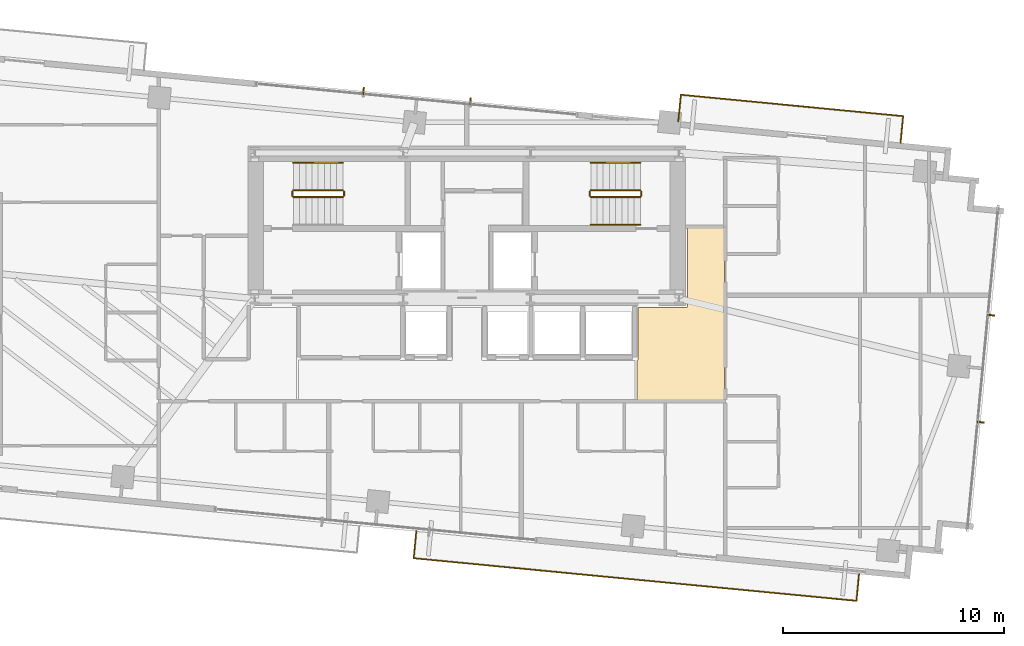
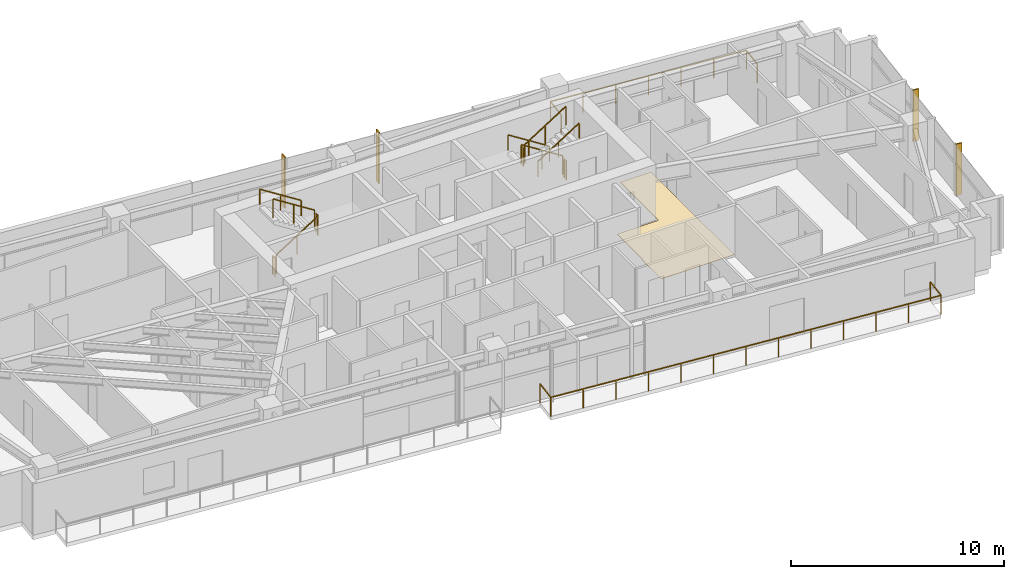
# One storey, part 19 of 19: 13 railings, 4 shading devices, 1 covering.
"""IFC4 building model written with IfcOpenShell, lengths in metres."""

from ifc_helpers import new_model, si_unit, direction, frame, origin, origin_2d, place, context, subcontext, project, spatial, polyline, rectangle, outline, extrude, source, transform, mapped, material, layer, layer_set, type_object, type_shapes, element, save


model = new_model("IFC4")

# Units and contexts
model_context = context("Model", 3, precision=1e-05, world=origin(), true_north=direction((0.0, 1.0)))
body_context = subcontext(model_context, "Body", "Model", "MODEL_VIEW")
ifc_project = project(units=[si_unit("LENGTHUNIT", "METRE"), si_unit("AREAUNIT", "SQUARE_METRE"), si_unit("VOLUMEUNIT", "CUBIC_METRE"), si_unit("PLANEANGLEUNIT", "RADIAN"), si_unit("MASSUNIT", "GRAM", prefix="KILO")], contexts=[model_context])

# Site, building, storey
site_placement = place(None, origin())
site = spatial("IfcSite", under=ifc_project, at=site_placement, CompositionType="ELEMENT")
building_placement = place(site_placement, origin())
building = spatial("IfcBuilding", under=site, at=building_placement, Name="Astriad Promenade Condominiums", CompositionType="ELEMENT")
storey_placement = place(building_placement, frame((0.0, 0.0, 143.800048828125)))
storey = spatial("IfcBuildingStorey", under=building, at=storey_placement, Name="L41", CompositionType="ELEMENT", Elevation=143.800048828125)

# Covering
ifc_material_1 = material(Name="Polished Lakefront Terrazzo Flooring")
ifc_layer = layer(ifc_material_1, 0.02001953125)
ifc_layer_set = layer_set([ifc_layer], Name="Polished Lakefront Terrazzo Flooring")
covering_type = type_object("IfcCoveringType", Name="COV-FLOR-TERRAZZO-20", PredefinedType="FLOORING", material=ifc_layer_set)
covering_placement = place(storey_placement, origin())
element("IfcCovering", 1, at=covering_placement, inside=storey, type_object=covering_type, Name="FLR-L41-COR-1", PredefinedType="FLOORING", context=body_context, shape_type="SweptSolid", body=[
    extrude(outline(polyline([(43.699951171875, 12.7900390625), (43.699951171875, 14.610107421875), (43.703857421875, 14.610107421875), (43.707763671875, 14.61083984375), (43.711669921875, 14.61181640625), (43.71533203125, 14.613037109375), (43.718994140625, 14.61474609375), (43.72216796875, 14.61669921875), (43.725341796875, 14.619140625), (43.728271484375, 14.62158203125), (43.73095703125, 14.62451171875), (43.7333984375, 14.627685546875), (43.7353515625, 14.631103515625), (43.737060546875, 14.634765625), (43.73828125, 14.638427734375), (43.7392578125, 14.64208984375), (43.73974609375, 14.64599609375), (43.739990234375, 14.64990234375), (43.739990234375, 17.010009765625), (45.949951171875, 17.010009765625), (45.953857421875, 17.01025390625), (45.957763671875, 17.0107421875), (45.961669921875, 17.01171875), (45.96533203125, 17.012939453125), (45.968994140625, 17.0146484375), (45.97216796875, 17.0166015625), (45.975341796875, 17.01904296875), (45.978271484375, 17.021728515625), (45.98095703125, 17.024658203125), (45.9833984375, 17.02783203125), (45.9853515625, 17.031005859375), (45.987060546875, 17.03466796875), (45.98828125, 17.038330078125), (45.9892578125, 17.042236328125), (45.98974609375, 17.046142578125), (45.989990234375, 17.050048828125), (45.989990234375, 20.610107421875), (47.659912109375, 20.610107421875), (47.659912109375, 12.7900390625), (43.699951171875, 12.7900390625)])), origin(), (0.0, 0.0, 1.0), 0.02001953125),
])

# Shading devices
ifc_material_2 = material(Name="Anodised aluminium 6063-T6 Black Fin", Category="aluminium")
shading_device_type = type_object("IfcShadingDeviceType", Name="FIN-BLACK-260", PredefinedType="USERDEFINED", material=ifc_material_2)
shared_shape_1 = source(origin(), body_context, "Body", "SweptSolid", [
    extrude(rectangle(XDim=0.06494140625, YDim=0.320068359375, at=origin_2d()), origin(), (0.0, 0.0, 1.0), 2.93994140625),
])
type_shapes(shading_device_type, [shared_shape_1])
for number, where, z_axis, x_axis, name in (
    (2, (31.3212890625, 26.7978515625, 0.0), (0.0, 0.0, 1.0), (0.995396198367, -0.09584575252, 0.0), "CW-L41-N-FIN-01"),
    (3, (36.1591796875, 26.331787109375, 0.0), (0.0, 0.0, 1.0), (0.995396198367, -0.09584575252, 0.0), "CW-L41-N-FIN-02"),
    (4, (59.7197265625, 16.652587890625, 0.0), (0.0, 0.0, 1.0), (-0.09584575252, -0.995396198367, 0.0), "CW-L41-E-FIN-01"),
    (5, (59.25341796875, 11.808349609375, 0.0), (0.0, 0.0, 1.0), (-0.09584575252, -0.995396198367, 0.0), "CW-L41-E-FIN-02"),
):
    element("IfcShadingDevice", number, at=place(storey_placement, frame(where, z_axis=z_axis, x_axis=x_axis)), inside=storey, type_object=shading_device_type, Name=name, ObjectType="FIN", PredefinedType="USERDEFINED", context=body_context, shape_type="MappedRepresentation", body=[
        mapped(shared_shape_1, transform((0.0, 0.0, 0.0), scale=1.0)),
    ])

# Railings
ifc_material_3 = material(Name="Laminated Glass and Stainless Steel Balustrade", Category="steel")
railing_type_1 = type_object("IfcRailingType", Name="GRD-BALC-1120", PredefinedType="BALUSTRADE", material=ifc_material_3)
shared_shape_2 = source(origin(), body_context, "Body", "SweptSolid", [
    extrude(rectangle(XDim=0.048095703125, YDim=0.048095703125, at=origin_2d()), frame((0.0, 0.0, 1.09619140625), z_axis=(-0.095857307208, -0.99539508571, 0.0), x_axis=(0.99539508571, -0.095857307208, 0.0)), (0.0, 0.0, 1.0), 1.219970703125),
    extrude(rectangle(XDim=0.048095703125, YDim=0.048095703125, at=origin_2d()), frame((-0.116943359375, -1.21435546875, 1.09619140625), z_axis=(0.995396067081, -0.095847115968, 0.0), x_axis=(0.095847115968, 0.995396067081, 0.0)), (0.0, 0.0, 1.0), 20.133056640625),
    extrude(rectangle(XDim=0.048095703125, YDim=0.048095703125, at=origin_2d()), frame((19.92333984375, -3.14404296875, 1.09619140625), z_axis=(0.095857307208, 0.99539508571, 0.0), x_axis=(-0.99539508571, 0.095857307208, 0.0)), (0.0, 0.0, 1.0), 1.219970703125),
    extrude(rectangle(XDim=0.0419921875, YDim=0.0419921875, at=origin_2d()), origin(), (0.0, 0.0, 1.0), 1.072021484375),
    extrude(rectangle(XDim=0.0419921875, YDim=0.0419921875, at=origin_2d()), frame((-0.116943359375, -1.21435546875, 0.0)), (0.0, 0.0, 1.0), 1.072021484375),
    extrude(rectangle(XDim=0.0419921875, YDim=0.0419921875, at=origin_2d()), frame((1.552978515625, -1.375244140625, 0.0)), (0.0, 0.0, 1.0), 1.072021484375),
    extrude(rectangle(XDim=0.0419921875, YDim=0.0419921875, at=origin_2d()), frame((3.22314453125, -1.535888671875, 0.0)), (0.0, 0.0, 1.0), 1.072021484375),
    extrude(rectangle(XDim=0.0419921875, YDim=0.0419921875, at=origin_2d()), frame((4.89306640625, -1.69677734375, 0.0)), (0.0, 0.0, 1.0), 1.072021484375),
    extrude(rectangle(XDim=0.0419921875, YDim=0.0419921875, at=origin_2d()), frame((6.563232421875, -1.857666015625, 0.0)), (0.0, 0.0, 1.0), 1.072021484375),
    extrude(rectangle(XDim=0.0419921875, YDim=0.0419921875, at=origin_2d()), frame((8.233154296875, -2.018310546875, 0.0)), (0.0, 0.0, 1.0), 1.072021484375),
    extrude(rectangle(XDim=0.0419921875, YDim=0.0419921875, at=origin_2d()), frame((9.9033203125, -2.17919921875, 0.0)), (0.0, 0.0, 1.0), 1.072021484375),
    extrude(rectangle(XDim=0.0419921875, YDim=0.0419921875, at=origin_2d()), frame((11.5732421875, -2.340087890625, 0.0)), (0.0, 0.0, 1.0), 1.072021484375),
    extrude(rectangle(XDim=0.0419921875, YDim=0.0419921875, at=origin_2d()), frame((13.2431640625, -2.500732421875, 0.0)), (0.0, 0.0, 1.0), 1.072021484375),
    extrude(rectangle(XDim=0.0419921875, YDim=0.0419921875, at=origin_2d()), frame((14.913330078125, -2.66162109375, 0.0)), (0.0, 0.0, 1.0), 1.072021484375),
    extrude(rectangle(XDim=0.0419921875, YDim=0.0419921875, at=origin_2d()), frame((16.583251953125, -2.822509765625, 0.0)), (0.0, 0.0, 1.0), 1.072021484375),
    extrude(rectangle(XDim=0.0419921875, YDim=0.0419921875, at=origin_2d()), frame((18.25341796875, -2.983154296875, 0.0)), (0.0, 0.0, 1.0), 1.072021484375),
    extrude(rectangle(XDim=0.0419921875, YDim=0.0419921875, at=origin_2d()), frame((19.92333984375, -3.14404296875, 0.0)), (0.0, 0.0, 1.0), 1.072021484375),
    extrude(rectangle(XDim=0.0419921875, YDim=0.0419921875, at=origin_2d()), frame((20.040283203125, -1.9296875, 0.0)), (0.0, 0.0, 1.0), 1.072021484375),
])
railing_1_placement = place(storey_placement, frame((33.708251953125, 6.8671875, 0.0)))
element("IfcRailing", 6, at=railing_1_placement, inside=storey, type_object=railing_type_1, Name="GRD-BALC-L41-SE", PredefinedType="BALUSTRADE", context=body_context, shape_type="MappedRepresentation", body=[
    mapped(shared_shape_2, transform((0.0, 0.0, 0.0), scale=1.0)),
])
shared_shape_3 = source(origin(), body_context, "Body", "SweptSolid", [
    extrude(rectangle(XDim=0.048095703125, YDim=0.048095703125, at=origin_2d()), frame((0.0, 0.0, 1.09619140625), z_axis=(0.095659020692, 0.99541416092, 0.0), x_axis=(-0.99541416092, 0.095659020692, 0.0)), (0.0, 0.0, 1.0), 1.219970703125),
    extrude(rectangle(XDim=0.048095703125, YDim=0.048095703125, at=origin_2d()), frame((0.11669921875, 1.21435546875, 1.09619140625), z_axis=(-0.995395390544, 0.095854141718, 0.0), x_axis=(-0.095854141718, -0.995395390544, 0.0)), (0.0, 0.0, 1.0), 10.109130859375),
    extrude(rectangle(XDim=0.048095703125, YDim=0.048095703125, at=origin_2d()), frame((-9.94580078125, 2.183349609375, 1.09619140625), z_axis=(-0.095659020692, -0.99541416092, 0.0), x_axis=(0.99541416092, -0.095659020692, 0.0)), (0.0, 0.0, 1.0), 1.219970703125),
    extrude(rectangle(XDim=0.0419921875, YDim=0.0419921875, at=origin_2d()), origin(), (0.0, 0.0, 1.0), 1.072021484375),
    extrude(rectangle(XDim=0.0419921875, YDim=0.0419921875, at=origin_2d()), frame((0.11669921875, 1.21435546875, 0.0)), (0.0, 0.0, 1.0), 1.072021484375),
    extrude(rectangle(XDim=0.0419921875, YDim=0.0419921875, at=origin_2d()), frame((-1.560302734375, 1.3759765625, 0.0)), (0.0, 0.0, 1.0), 1.072021484375),
    extrude(rectangle(XDim=0.0419921875, YDim=0.0419921875, at=origin_2d()), frame((-3.237548828125, 1.537353515625, 0.0)), (0.0, 0.0, 1.0), 1.072021484375),
    extrude(rectangle(XDim=0.0419921875, YDim=0.0419921875, at=origin_2d()), frame((-4.91455078125, 1.69873046875, 0.0)), (0.0, 0.0, 1.0), 1.072021484375),
    extrude(rectangle(XDim=0.0419921875, YDim=0.0419921875, at=origin_2d()), frame((-6.591552734375, 1.8603515625, 0.0)), (0.0, 0.0, 1.0), 1.072021484375),
    extrude(rectangle(XDim=0.0419921875, YDim=0.0419921875, at=origin_2d()), frame((-8.268798828125, 2.02197265625, 0.0)), (0.0, 0.0, 1.0), 1.072021484375),
    extrude(rectangle(XDim=0.0419921875, YDim=0.0419921875, at=origin_2d()), frame((-9.94580078125, 2.183349609375, 0.0)), (0.0, 0.0, 1.0), 1.072021484375),
    extrude(rectangle(XDim=0.0419921875, YDim=0.0419921875, at=origin_2d()), frame((-10.0625, 0.968994140625, 0.0)), (0.0, 0.0, 1.0), 1.072021484375),
])
type_shapes(railing_type_1, [shared_shape_2, shared_shape_3])
railing_2_placement = place(storey_placement, frame((55.627197265625, 24.447265625, 0.0)))
element("IfcRailing", 7, at=railing_2_placement, inside=storey, type_object=railing_type_1, Name="GRD-BALC-L41-NE", PredefinedType="BALUSTRADE", context=body_context, shape_type="MappedRepresentation", body=[
    mapped(shared_shape_3, transform((0.0, 0.0, 0.0), scale=1.0)),
])
ifc_material_4 = material(Name="Painted Galvanised Steel Guardrail", Category="steel")
railing_type_2 = type_object("IfcRailingType", Name="GRD-STAIR-1100", PredefinedType="GUARDRAIL", material=ifc_material_4)
shared_shape_4 = source(origin(), body_context, "Body", "SweptSolid", [
    extrude(rectangle(XDim=0.048095703125, YDim=0.048095703125, at=origin_2d()), frame((0.0, 0.0, 1.076171875), z_axis=(0.0, 1.0, 0.0), x_axis=(-1.0, 0.0, 0.0)), (0.0, 0.0, 1.0), 0.199951171875),
    extrude(rectangle(XDim=0.0419921875, YDim=0.0419921875, at=origin_2d()), origin(), (0.0, 0.0, 1.0), 1.052001953125),
    extrude(rectangle(XDim=0.0419921875, YDim=0.0419921875, at=origin_2d()), frame((0.0, 0.199951171875, 0.0)), (0.0, 0.0, 1.0), 1.052001953125),
])
for number, where, name in (
    (8, (30.43994140625, 22.050048828125, 1.599853515625), "L41 ST-1 stair guard 2"),
    (9, (28.10009765625, 22.050048828125, 0.0), "L41 ST-1 stair guard 4"),
):
    element("IfcRailing", number, at=place(storey_placement, frame(where)), inside=storey, type_object=railing_type_2, Name=name, PredefinedType="GUARDRAIL", context=body_context, shape_type="MappedRepresentation", body=[
        mapped(shared_shape_4, transform((0.0, 0.0, 0.0), scale=1.0)),
    ])
shared_shape_5 = source(origin(), body_context, "Body", "SweptSolid", [
    extrude(rectangle(XDim=0.048095703125, YDim=0.048095703125, at=origin_2d()), frame((0.0, 0.0, 1.076171875), z_axis=(-0.8442293374, 0.0, 0.53598211339), x_axis=(0.0, -1.0, 0.0)), (0.0, 0.0, 1.0), 2.6533203125),
    extrude(rectangle(XDim=0.0419921875, YDim=0.0419921875, at=origin_2d()), origin(), (0.0, 0.0, 1.0), 1.052001953125),
    extrude(rectangle(XDim=0.0419921875, YDim=0.0419921875, at=origin_2d()), frame((-1.1201171875, 0.0, 0.7109375)), (0.0, 0.0, 1.0), 1.052001953125),
    extrude(rectangle(XDim=0.0419921875, YDim=0.0419921875, at=origin_2d()), frame((-2.239990234375, 0.0, 1.422119140625)), (0.0, 0.0, 1.0), 1.052001953125),
])
for number, where, name in (
    (10, (30.389892578125, 22.300048828125, 1.77783203125), "L41 ST-1 stair guard 3"),
    (11, (43.85009765625, 22.300048828125, 0.177734375), "L41 ST-2 stair guard 1"),
):
    element("IfcRailing", number, at=place(storey_placement, frame(where)), inside=storey, type_object=railing_type_2, Name=name, PredefinedType="GUARDRAIL", context=body_context, shape_type="MappedRepresentation", body=[
        mapped(shared_shape_5, transform((0.0, 0.0, 0.0), scale=1.0)),
    ])
ifc_material_5 = material(Name="Brushed Stainless Steel Handrail", Category="steel")
railing_type_3 = type_object("IfcRailingType", Name="HRL-STAIR-920", PredefinedType="HANDRAIL", material=ifc_material_5)
shared_shape_6 = source(origin(), body_context, "Body", "SweptSolid", [
    extrude(rectangle(XDim=0.048095703125, YDim=0.048095703125, at=origin_2d()), frame((0.0, 0.0, 0.8759765625), z_axis=(-0.8442293374, 0.0, 0.53598211339), x_axis=(0.0, -1.0, 0.0)), (0.0, 0.0, 1.0), 2.6533203125),
    extrude(rectangle(XDim=0.0419921875, YDim=0.0419921875, at=origin_2d()), origin(), (0.0, 0.0, 1.0), 0.851806640625),
    extrude(rectangle(XDim=0.0419921875, YDim=0.0419921875, at=origin_2d()), frame((-1.1201171875, 0.0, 0.7109375)), (0.0, 0.0, 1.0), 0.851806640625),
    extrude(rectangle(XDim=0.0419921875, YDim=0.0419921875, at=origin_2d()), frame((-2.239990234375, 0.0, 1.422119140625)), (0.0, 0.0, 1.0), 0.851806640625),
])
for number, where, name in (
    (12, (30.389892578125, 23.550048828125, 1.77783203125), "L41 ST-1 stair handrail 2"),
    (13, (43.85009765625, 23.550048828125, 0.177734375), "L41 ST-2 stair handrail 1"),
):
    element("IfcRailing", number, at=place(storey_placement, frame(where)), inside=storey, type_object=railing_type_3, Name=name, PredefinedType="HANDRAIL", context=body_context, shape_type="MappedRepresentation", body=[
        mapped(shared_shape_6, transform((0.0, 0.0, 0.0), scale=1.0)),
    ])
shared_shape_7 = source(origin(), body_context, "Body", "SweptSolid", [
    extrude(rectangle(XDim=0.048095703125, YDim=0.048095703125, at=origin_2d()), frame((0.0, 0.0, 1.076171875), z_axis=(0.8442293374, 0.0, 0.53598211339), x_axis=(0.0, 1.0, 0.0)), (0.0, 0.0, 1.0), 2.6533203125),
    extrude(rectangle(XDim=0.0419921875, YDim=0.0419921875, at=origin_2d()), origin(), (0.0, 0.0, 1.0), 1.052001953125),
    extrude(rectangle(XDim=0.0419921875, YDim=0.0419921875, at=origin_2d()), frame((1.1201171875, 0.0, 0.7109375)), (0.0, 0.0, 1.0), 1.052001953125),
    extrude(rectangle(XDim=0.0419921875, YDim=0.0419921875, at=origin_2d()), frame((2.239990234375, 0.0, 1.422119140625)), (0.0, 0.0, 1.0), 1.052001953125),
])
for number, where, name in (
    (14, (28.14990234375, 22.0, 0.177734375), "L41 ST-1 stair guard 1"),
    (15, (41.610107421875, 22.0, 1.77783203125), "L41 ST-2 stair guard 3"),
):
    element("IfcRailing", number, at=place(storey_placement, frame(where)), inside=storey, type_object=railing_type_2, Name=name, PredefinedType="GUARDRAIL", context=body_context, shape_type="MappedRepresentation", body=[
        mapped(shared_shape_7, transform((0.0, 0.0, 0.0), scale=1.0)),
    ])
shared_shape_8 = source(origin(), body_context, "Body", "SweptSolid", [
    extrude(rectangle(XDim=0.048095703125, YDim=0.048095703125, at=origin_2d()), frame((0.0, 0.0, 0.8759765625), z_axis=(0.8442293374, 0.0, 0.53598211339), x_axis=(0.0, 1.0, 0.0)), (0.0, 0.0, 1.0), 2.6533203125),
    extrude(rectangle(XDim=0.0419921875, YDim=0.0419921875, at=origin_2d()), origin(), (0.0, 0.0, 1.0), 0.851806640625),
    extrude(rectangle(XDim=0.0419921875, YDim=0.0419921875, at=origin_2d()), frame((1.1201171875, 0.0, 0.7109375)), (0.0, 0.0, 1.0), 0.851806640625),
    extrude(rectangle(XDim=0.0419921875, YDim=0.0419921875, at=origin_2d()), frame((2.239990234375, 0.0, 1.422119140625)), (0.0, 0.0, 1.0), 0.851806640625),
])
type_shapes(railing_type_3, [shared_shape_6, shared_shape_8])
railing_3_placement = place(storey_placement, frame((41.610107421875, 20.75, 1.77783203125)))
element("IfcRailing", 16, at=railing_3_placement, inside=storey, type_object=railing_type_3, Name="L41 ST-2 stair handrail 2", PredefinedType="HANDRAIL", context=body_context, shape_type="MappedRepresentation", body=[
    mapped(shared_shape_8, transform((0.0, 0.0, 0.0), scale=1.0)),
])
shared_shape_9 = source(origin(), body_context, "Body", "SweptSolid", [
    extrude(rectangle(XDim=0.048095703125, YDim=0.048095703125, at=origin_2d()), frame((0.0, 0.0, 1.076171875), z_axis=(0.0, -1.0, 0.0), x_axis=(1.0, 0.0, 0.0)), (0.0, 0.0, 1.0), 0.199951171875),
    extrude(rectangle(XDim=0.0419921875, YDim=0.0419921875, at=origin_2d()), origin(), (0.0, 0.0, 1.0), 1.052001953125),
    extrude(rectangle(XDim=0.0419921875, YDim=0.0419921875, at=origin_2d()), frame((0.0, -0.199951171875, 0.0)), (0.0, 0.0, 1.0), 1.052001953125),
])
type_shapes(railing_type_2, [shared_shape_4, shared_shape_5, shared_shape_7, shared_shape_9])
for number, where, name in (
    (17, (41.56005859375, 22.25, 1.599853515625), "L41 ST-2 stair guard 2"),
    (18, (43.89990234375, 22.25, 0.0), "L41 ST-2 stair guard 4"),
):
    element("IfcRailing", number, at=place(storey_placement, frame(where)), inside=storey, type_object=railing_type_2, Name=name, PredefinedType="GUARDRAIL", context=body_context, shape_type="MappedRepresentation", body=[
        mapped(shared_shape_9, transform((0.0, 0.0, 0.0), scale=1.0)),
    ])

save(model, "model.ifc")
